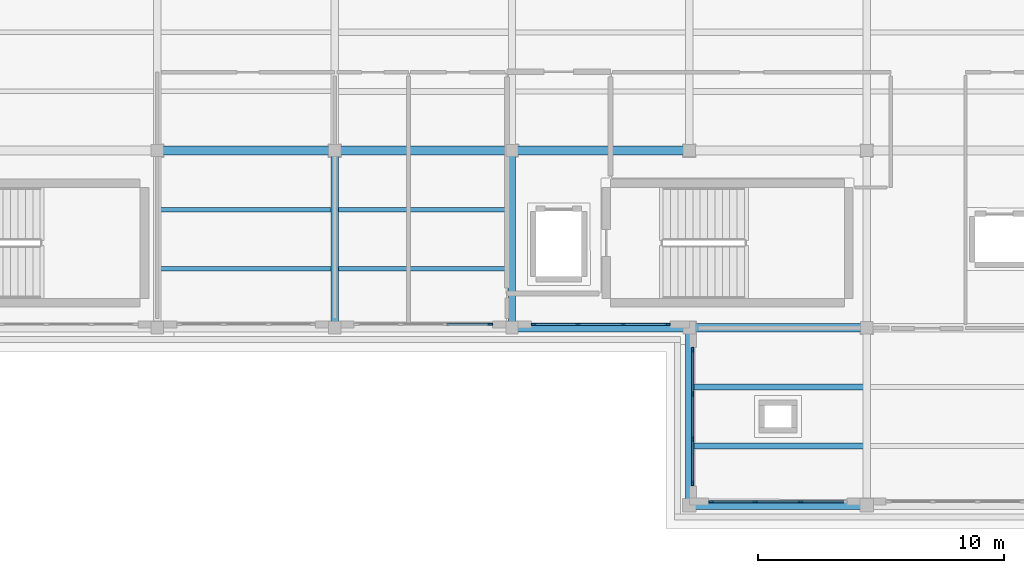
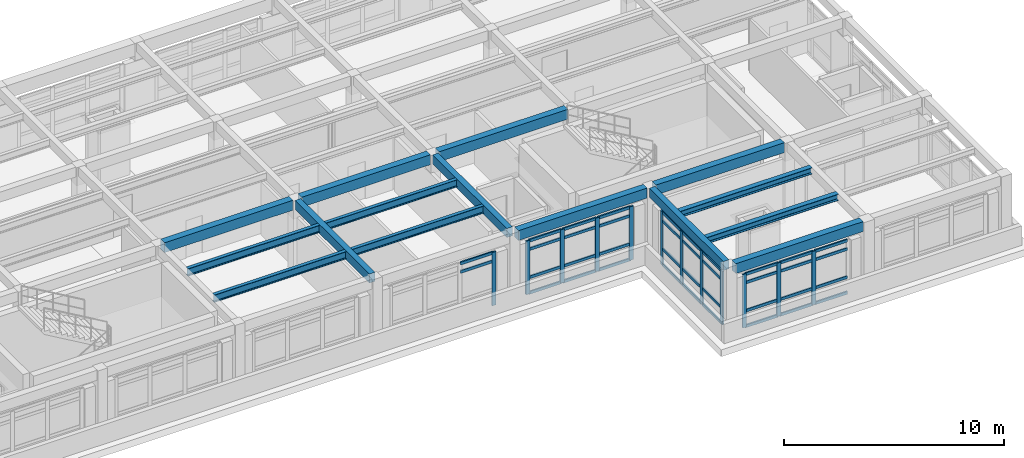
# One storey, part 6 of 20: 50 members, 15 beams, 4 elements without a shape of their own.
"""IFC4 building model written with IfcOpenShell, lengths in metres."""

from ifc_helpers import new_model, si_unit, direction, frame, origin, origin_2d, place, context, subcontext, project, spatial, rectangle, i_section, extrude, material, layer, layer_set, material_profile, profile_set, type_object, element, aggregate, save


model = new_model("IFC4")

# Units and contexts
model_context = context("Model", 3, precision=1e-05, world=origin(), true_north=direction((0.0, 1.0)))
body_context = subcontext(model_context, "Body", "Model", "MODEL_VIEW")
ifc_project = project(units=[si_unit("LENGTHUNIT", "METRE"), si_unit("AREAUNIT", "SQUARE_METRE"), si_unit("VOLUMEUNIT", "CUBIC_METRE"), si_unit("PLANEANGLEUNIT", "RADIAN"), si_unit("MASSUNIT", "GRAM", prefix="KILO")], contexts=[model_context])

# Site, building, storey
site_placement = place(None, origin())
site = spatial("IfcSite", under=ifc_project, at=site_placement, CompositionType="ELEMENT")
building_placement = place(site_placement, origin())
building = spatial("IfcBuilding", under=site, at=building_placement, Name="Solenvale Faculty of Natural Sciences", CompositionType="ELEMENT")
storey_placement = place(building_placement, frame((0.0, 0.0, 35.39990234375)))
storey = spatial("IfcBuildingStorey", under=building, at=storey_placement, Name="L08", CompositionType="ELEMENT", Elevation=35.39990234375)

# Beams
ifc_material_1 = material(Name="Concrete 40 MPa", Category="concrete")
ifc_material_profile_1 = material_profile(ifc_material_1, rectangle(XDim=0.300048828125, YDim=0.5, at=origin_2d()), Name="RC-BM-300x500")
ifc_profile_set_1 = profile_set([ifc_material_profile_1], Name="Concrete 40 MPa")
beam_type_1 = type_object("IfcBeamType", Name="BM-RC-300x500", PredefinedType="BEAM", material=ifc_profile_set_1)
for number, where, z_axis, x_axis, name in (
    (1, (122.39990234375, 93.830078125, 3.670166015625), (0.0, 1.0, 0.0), (-1.0, 0.0, 0.0), "L08 Y-Girder X122.4 (93.6..100.8)"),
    (2, (129.60009765625, 93.830078125, 3.670166015625), (0.0, 1.0, 0.0), (-1.0, 0.0, 0.0), "L08 Y-Girder X129.6 (93.6..100.8)"),
):
    element("IfcBeam", number, at=place(storey_placement, frame(where, z_axis=z_axis, x_axis=x_axis)), inside=storey, type_object=beam_type_1, Name=name, PredefinedType="BEAM", context=body_context, shape_type="SweptSolid", body=[
        extrude(rectangle(XDim=0.300048828125, YDim=0.5, at=origin_2d()), origin(), (0.0, 0.0, 1.0), 6.739990234375),
    ])
beam_1_placement = place(storey_placement, frame((136.800048828125, 86.655029296875, 3.670166015625), z_axis=(0.0, 1.0, 0.0), x_axis=(-1.0, 0.0, 0.0)))
element("IfcBeam", 3, at=beam_1_placement, inside=storey, type_object=beam_type_1, Name="L08 Y-Girder X136.8 (86.4..93.6)", PredefinedType="BEAM", context=body_context, shape_type="SweptSolid", body=[
    extrude(rectangle(XDim=0.300048828125, YDim=0.5, at=origin_2d()), origin(), (0.0, 0.0, 1.0), 6.715087890625),
])
ifc_material_profile_2 = material_profile(ifc_material_1, rectangle(XDim=0.35009765625, YDim=0.550048828125, at=origin_2d()), Name="RC-BM-350x550")
ifc_profile_set_2 = profile_set([ifc_material_profile_2], Name="Concrete 40 MPa")
beam_type_2 = type_object("IfcBeamType", Name="BM-RC-350x550", PredefinedType="BEAM", material=ifc_profile_set_2)
beam_2_placement = place(storey_placement, frame((137.054931640625, 86.39990234375, 3.64501953125), z_axis=(1.0, 0.0, 0.0), x_axis=(0.0, 1.0, 0.0)))
element("IfcBeam", 4, at=beam_2_placement, inside=storey, type_object=beam_type_2, Name="L08 X-Girder Y86.4 (136.8..144.0)", PredefinedType="BEAM", context=body_context, shape_type="SweptSolid", body=[
    extrude(rectangle(XDim=0.35009765625, YDim=0.550048828125, at=origin_2d()), origin(), (0.0, 0.0, 1.0), 6.690185546875),
])
for number, where, z_axis, x_axis, name in (
    (5, (129.830078125, 93.60009765625, 3.64501953125), (1.0, 0.0, 0.0), (0.0, 1.0, 0.0), "L08 X-Girder Y93.6 (129.6..136.8)"),
    (6, (137.030029296875, 93.60009765625, 3.64501953125), (1.0, 0.0, 0.0), (0.0, 1.0, 0.0), "L08 X-Girder Y93.6 (136.8..144.0)"),
    (7, (115.429931640625, 100.800048828125, 3.64501953125), (1.0, 0.0, 0.0), (0.0, 1.0, 0.0), "L08 X-Girder Y100.8 (115.2..122.4)"),
):
    element("IfcBeam", number, at=place(storey_placement, frame(where, z_axis=z_axis, x_axis=x_axis)), inside=storey, type_object=beam_type_2, Name=name, PredefinedType="BEAM", context=body_context, shape_type="SweptSolid", body=[
        extrude(rectangle(XDim=0.35009765625, YDim=0.550048828125, at=origin_2d()), origin(), (0.0, 0.0, 1.0), 6.739990234375),
    ])
beam_3_placement = place(storey_placement, frame((122.6298828125, 100.800048828125, 3.64501953125), z_axis=(1.0, 0.0, 0.0), x_axis=(0.0, 1.0, 0.0)))
element("IfcBeam", 8, at=beam_3_placement, inside=storey, type_object=beam_type_2, Name="L08 X-Girder Y100.8 (122.4..129.6)", PredefinedType="BEAM", context=body_context, shape_type="SweptSolid", body=[
    extrude(rectangle(XDim=0.35009765625, YDim=0.550048828125, at=origin_2d()), origin(), (0.0, 0.0, 1.0), 6.740234375),
])
beam_4_placement = place(storey_placement, frame((129.830078125, 100.800048828125, 3.64501953125), z_axis=(1.0, 0.0, 0.0), x_axis=(0.0, 1.0, 0.0)))
element("IfcBeam", 9, at=beam_4_placement, inside=storey, type_object=beam_type_2, Name="L08 X-Girder Y100.8 (129.6..136.8)", PredefinedType="BEAM", context=body_context, shape_type="SweptSolid", body=[
    extrude(rectangle(XDim=0.35009765625, YDim=0.550048828125, at=origin_2d()), origin(), (0.0, 0.0, 1.0), 6.739990234375),
])
ifc_material_2 = material(Name="Steel S355", Category="steel")
ifc_material_profile_3 = material_profile(ifc_material_2, i_section(OverallWidth=0.2548828125, OverallDepth=0.35693359375, WebThickness=0.010498046875, FlangeThickness=0.018310546875, FilletRadius=0.014892578125, at=origin_2d()), Name="W360x101")
ifc_profile_set_3 = profile_set([ifc_material_profile_3], Name="Steel S355")
beam_type_3 = type_object("IfcBeamType", Name="BM-STL-W360x101", PredefinedType="JOIST", material=ifc_profile_set_3)
for number, where, z_axis, x_axis, name in (
    (10, (136.929931640625, 88.800048828125, 3.74169921875), (1.0, 0.0, 0.0), (0.0, 1.0, 0.0), "L08 Composite Floor Joist (20,13).1"),
    (11, (136.929931640625, 91.199951171875, 3.74169921875), (1.0, 0.0, 0.0), (0.0, 1.0, 0.0), "L08 Composite Floor Joist (20,13).2"),
):
    element("IfcBeam", number, at=place(storey_placement, frame(where, z_axis=z_axis, x_axis=x_axis)), inside=storey, type_object=beam_type_3, Name=name, PredefinedType="JOIST", context=body_context, shape_type="SweptSolid", body=[
        extrude(i_section(OverallWidth=0.2548828125, OverallDepth=0.35693359375, WebThickness=0.010498046875, FlangeThickness=0.018310546875, FilletRadius=0.014892578125, at=origin_2d()), origin(), (0.0, 0.0, 1.0), 6.940185546875),
    ])
ifc_material_profile_4 = material_profile(ifc_material_2, i_section(OverallWidth=0.178955078125, OverallDepth=0.409912109375, WebThickness=0.0087890625, FlangeThickness=0.014404296875, FilletRadius=0.01611328125, at=origin_2d()), Name="W410x67")
ifc_profile_set_4 = profile_set([ifc_material_profile_4], Name="Steel S355")
beam_type_4 = type_object("IfcBeamType", Name="BM-STL-W410x67", PredefinedType="JOIST", material=ifc_profile_set_4)
for number, where, z_axis, x_axis, name in (
    (12, (122.530029296875, 96.0, 3.715087890625), (1.0, 0.0, 0.0), (0.0, 1.0, 0.0), "L08 Composite Floor Joist (18,14).1"),
    (13, (122.530029296875, 98.39990234375, 3.715087890625), (1.0, 0.0, 0.0), (0.0, 1.0, 0.0), "L08 Composite Floor Joist (18,14).2"),
):
    element("IfcBeam", number, at=place(storey_placement, frame(where, z_axis=z_axis, x_axis=x_axis)), inside=storey, type_object=beam_type_4, Name=name, PredefinedType="JOIST", context=body_context, shape_type="SweptSolid", body=[
        extrude(i_section(OverallWidth=0.178955078125, OverallDepth=0.409912109375, WebThickness=0.0087890625, FlangeThickness=0.014404296875, FilletRadius=0.01611328125, at=origin_2d()), origin(), (0.0, 0.0, 1.0), 6.93994140625),
    ])
ifc_material_profile_5 = material_profile(ifc_material_2, i_section(OverallWidth=0.180908203125, OverallDepth=0.4169921875, WebThickness=0.010986328125, FlangeThickness=0.018310546875, FilletRadius=0.01611328125, at=origin_2d()), Name="W410x85")
ifc_profile_set_5 = profile_set([ifc_material_profile_5], Name="Steel S355")
beam_type_5 = type_object("IfcBeamType", Name="BM-STL-W410x85", PredefinedType="JOIST", material=ifc_profile_set_5)
for number, where, z_axis, x_axis, name in (
    (14, (115.330078125, 96.0, 3.711669921875), (1.0, 0.0, 0.0), (0.0, 1.0, 0.0), "L08 Composite Floor Joist (17,14).1"),
    (15, (115.330078125, 98.39990234375, 3.711669921875), (1.0, 0.0, 0.0), (0.0, 1.0, 0.0), "L08 Composite Floor Joist (17,14).2"),
):
    element("IfcBeam", number, at=place(storey_placement, frame(where, z_axis=z_axis, x_axis=x_axis)), inside=storey, type_object=beam_type_5, Name=name, PredefinedType="JOIST", context=body_context, shape_type="SweptSolid", body=[
        extrude(i_section(OverallWidth=0.180908203125, OverallDepth=0.4169921875, WebThickness=0.010986328125, FlangeThickness=0.018310546875, FilletRadius=0.01611328125, at=origin_2d()), origin(), (0.0, 0.0, 1.0), 6.93994140625),
    ])

# Curtain wall, member
ifc_material_3 = material(Name="Anodised bronze aluminium", Category="aluminium")
ifc_layer = layer(ifc_material_3, 0.179931640625)
ifc_layer_set = layer_set([ifc_layer], Name="Anodised bronze aluminium")
curtain_wall_type = type_object("IfcCurtainWallType", Name="CW-TWR-MOD", PredefinedType="USERDEFINED", material=ifc_layer_set)
curtain_wall_1_placement = place(storey_placement, origin())
curtain_wall_1 = element("IfcCurtainWall", 16, at=curtain_wall_1_placement, inside=storey, type_object=curtain_wall_type, Name="L08 Curtain Wall CW-L08-P1-E4-B6", ObjectType="UNITISED CURTAIN WALL", PredefinedType="USERDEFINED")
ifc_material_profile_6 = material_profile(ifc_material_3, rectangle(XDim=0.074951171875, YDim=0.2099609375, at=origin_2d()), Name="ALU-MUL-75x210")
ifc_profile_set_6 = profile_set([ifc_material_profile_6], Name="Anodised bronze aluminium")
member_type_1 = type_object("IfcMemberType", Name="CWM-ALU-75x210", PredefinedType="MULLION", material=ifc_profile_set_6)
member_1_placement = place(storey_placement, frame((128.71240234375, 93.742431640625, 0.0), z_axis=(0.0, 0.0, 1.0), x_axis=(0.0, 1.0, 0.0)))
member_1 = element("IfcMember", 17, at=member_1_placement, type_object=member_type_1, Name="CW-04 mullion 4", PredefinedType="MULLION", context=body_context, shape_type="SweptSolid", body=[
    extrude(rectangle(XDim=0.074951171875, YDim=0.2099609375, at=origin_2d()), origin(), (0.0, 0.0, 1.0), 2.960205078125),
])

# Curtain wall, members
curtain_wall_2_placement = place(storey_placement, origin())
curtain_wall_2 = element("IfcCurtainWall", 18, at=curtain_wall_2_placement, inside=storey, type_object=curtain_wall_type, Name="L08 Curtain Wall CW-L08-P1-E4-B7", ObjectType="UNITISED CURTAIN WALL", PredefinedType="USERDEFINED")
member_2_placement = place(storey_placement, frame((130.487548828125, 93.742431640625, 0.0), z_axis=(0.0, 0.0, 1.0), x_axis=(0.0, 1.0, 0.0)))
member_2 = element("IfcMember", 19, at=member_2_placement, type_object=member_type_1, Name="CW-04 mullion 1", PredefinedType="MULLION", context=body_context, shape_type="SweptSolid", body=[
    extrude(rectangle(XDim=0.074951171875, YDim=0.2099609375, at=origin_2d()), origin(), (0.0, 0.0, 1.0), 2.960205078125),
])
member_3_placement = place(storey_placement, frame((132.283447265625, 93.742431640625, 0.0), z_axis=(0.0, 0.0, 1.0), x_axis=(0.0, 1.0, 0.0)))
member_3 = element("IfcMember", 20, at=member_3_placement, type_object=member_type_1, Name="CW-04 mullion 2", PredefinedType="MULLION", context=body_context, shape_type="SweptSolid", body=[
    extrude(rectangle(XDim=0.074951171875, YDim=0.2099609375, at=origin_2d()), origin(), (0.0, 0.0, 1.0), 2.960205078125),
])
member_4_placement = place(storey_placement, frame((134.11669921875, 93.742431640625, 0.0), z_axis=(0.0, 0.0, 1.0), x_axis=(0.0, 1.0, 0.0)))
member_4 = element("IfcMember", 21, at=member_4_placement, type_object=member_type_1, Name="CW-04 mullion 3", PredefinedType="MULLION", context=body_context, shape_type="SweptSolid", body=[
    extrude(rectangle(XDim=0.074951171875, YDim=0.2099609375, at=origin_2d()), origin(), (0.0, 0.0, 1.0), 2.960205078125),
])
member_5_placement = place(storey_placement, frame((135.91259765625, 93.742431640625, 0.0), z_axis=(0.0, 0.0, 1.0), x_axis=(0.0, 1.0, 0.0)))
member_5 = element("IfcMember", 22, at=member_5_placement, type_object=member_type_1, Name="CW-04 mullion 4", PredefinedType="MULLION", context=body_context, shape_type="SweptSolid", body=[
    extrude(rectangle(XDim=0.074951171875, YDim=0.2099609375, at=origin_2d()), origin(), (0.0, 0.0, 1.0), 2.960205078125),
])

curtain_wall_3_placement = place(storey_placement, origin())
curtain_wall_3 = element("IfcCurtainWall", 23, at=curtain_wall_3_placement, inside=storey, type_object=curtain_wall_type, Name="L08 Curtain Wall CW-L08-P1-E5-B1", ObjectType="UNITISED CURTAIN WALL", PredefinedType="USERDEFINED")
member_6_placement = place(storey_placement, frame((136.9423828125, 92.71240234375, 0.0), z_axis=(0.0, 0.0, 1.0), x_axis=(1.0, 0.0, 0.0)))
member_6 = element("IfcMember", 24, at=member_6_placement, type_object=member_type_1, Name="CW-04 mullion 1", PredefinedType="MULLION", context=body_context, shape_type="SweptSolid", body=[
    extrude(rectangle(XDim=0.074951171875, YDim=0.2099609375, at=origin_2d()), origin(), (0.0, 0.0, 1.0), 2.960205078125),
])
member_7_placement = place(storey_placement, frame((136.9423828125, 90.916748046875, 0.0), z_axis=(0.0, 0.0, 1.0), x_axis=(1.0, 0.0, 0.0)))
member_7 = element("IfcMember", 25, at=member_7_placement, type_object=member_type_1, Name="CW-04 mullion 2", PredefinedType="MULLION", context=body_context, shape_type="SweptSolid", body=[
    extrude(rectangle(XDim=0.074951171875, YDim=0.2099609375, at=origin_2d()), origin(), (0.0, 0.0, 1.0), 2.960205078125),
])
member_8_placement = place(storey_placement, frame((136.9423828125, 89.083251953125, 0.0), z_axis=(0.0, 0.0, 1.0), x_axis=(1.0, 0.0, 0.0)))
member_8 = element("IfcMember", 26, at=member_8_placement, type_object=member_type_1, Name="CW-04 mullion 3", PredefinedType="MULLION", context=body_context, shape_type="SweptSolid", body=[
    extrude(rectangle(XDim=0.074951171875, YDim=0.2099609375, at=origin_2d()), origin(), (0.0, 0.0, 1.0), 2.960205078125),
])
member_9_placement = place(storey_placement, frame((136.9423828125, 87.28759765625, 0.0), z_axis=(0.0, 0.0, 1.0), x_axis=(1.0, 0.0, 0.0)))
member_9 = element("IfcMember", 27, at=member_9_placement, type_object=member_type_1, Name="CW-04 mullion 4", PredefinedType="MULLION", context=body_context, shape_type="SweptSolid", body=[
    extrude(rectangle(XDim=0.074951171875, YDim=0.2099609375, at=origin_2d()), origin(), (0.0, 0.0, 1.0), 2.960205078125),
])

curtain_wall_4_placement = place(storey_placement, origin())
curtain_wall_4 = element("IfcCurtainWall", 28, at=curtain_wall_4_placement, inside=storey, type_object=curtain_wall_type, Name="L08 Curtain Wall CW-L08-P1-E6-B1", ObjectType="UNITISED CURTAIN WALL", PredefinedType="USERDEFINED")
member_10_placement = place(storey_placement, frame((137.6875, 86.54248046875, 0.0), z_axis=(0.0, 0.0, 1.0), x_axis=(0.0, 1.0, 0.0)))
member_10 = element("IfcMember", 29, at=member_10_placement, type_object=member_type_1, Name="CW-04 mullion 1", PredefinedType="MULLION", context=body_context, shape_type="SweptSolid", body=[
    extrude(rectangle(XDim=0.074951171875, YDim=0.2099609375, at=origin_2d()), origin(), (0.0, 0.0, 1.0), 2.960205078125),
])
member_11_placement = place(storey_placement, frame((139.4833984375, 86.54248046875, 0.0), z_axis=(0.0, 0.0, 1.0), x_axis=(0.0, 1.0, 0.0)))
member_11 = element("IfcMember", 30, at=member_11_placement, type_object=member_type_1, Name="CW-04 mullion 2", PredefinedType="MULLION", context=body_context, shape_type="SweptSolid", body=[
    extrude(rectangle(XDim=0.074951171875, YDim=0.2099609375, at=origin_2d()), origin(), (0.0, 0.0, 1.0), 2.960205078125),
])
member_12_placement = place(storey_placement, frame((141.316650390625, 86.54248046875, 0.0), z_axis=(0.0, 0.0, 1.0), x_axis=(0.0, 1.0, 0.0)))
member_12 = element("IfcMember", 31, at=member_12_placement, type_object=member_type_1, Name="CW-04 mullion 3", PredefinedType="MULLION", context=body_context, shape_type="SweptSolid", body=[
    extrude(rectangle(XDim=0.074951171875, YDim=0.2099609375, at=origin_2d()), origin(), (0.0, 0.0, 1.0), 2.960205078125),
])

# Member
ifc_material_profile_7 = material_profile(ifc_material_3, rectangle(XDim=0.074951171875, YDim=0.155029296875, at=origin_2d()), Name="ALU-TRN-75x155")
ifc_profile_set_7 = profile_set([ifc_material_profile_7], Name="Anodised bronze aluminium")
member_type_2 = type_object("IfcMemberType", Name="CWT-ALU-75x155", PredefinedType="USERDEFINED", material=ifc_profile_set_7)
member_13_placement = place(storey_placement, frame((126.9541015625, 93.742431640625, 2.460205078125), z_axis=(1.0, 0.0, 0.0), x_axis=(0.0, 1.0, 0.0)))
member_13 = element("IfcMember", 32, at=member_13_placement, type_object=member_type_2, Name="CW-04 transom 3.3", ObjectType="TRANSOM", PredefinedType="USERDEFINED", context=body_context, shape_type="SweptSolid", body=[
    extrude(rectangle(XDim=0.074951171875, YDim=0.155029296875, at=origin_2d()), origin(), (0.0, 0.0, 1.0), 1.720947265625),
])

member_14_placement = place(storey_placement, frame((126.9541015625, 93.742431640625, 2.922607421875), z_axis=(1.0, 0.0, 0.0), x_axis=(0.0, 1.0, 0.0)))
member_14 = element("IfcMember", 33, at=member_14_placement, type_object=member_type_2, Name="CW-04 transom 3.4", ObjectType="TRANSOM", PredefinedType="USERDEFINED", context=body_context, shape_type="SweptSolid", body=[
    extrude(rectangle(XDim=0.074951171875, YDim=0.155029296875, at=origin_2d()), origin(), (0.0, 0.0, 1.0), 1.720947265625),
])

aggregate(curtain_wall_1, [member_1, member_13, member_14])

member_15_placement = place(storey_placement, frame((130.52490234375, 93.742431640625, 0.03759765625), z_axis=(1.0, 0.0, 0.0), x_axis=(0.0, 1.0, 0.0)))
member_15 = element("IfcMember", 34, at=member_15_placement, type_object=member_type_2, Name="CW-04 transom 1.1", ObjectType="TRANSOM", PredefinedType="USERDEFINED", context=body_context, shape_type="SweptSolid", body=[
    extrude(rectangle(XDim=0.074951171875, YDim=0.155029296875, at=origin_2d()), origin(), (0.0, 0.0, 1.0), 1.720947265625),
])

member_16_placement = place(storey_placement, frame((130.52490234375, 93.742431640625, 0.900146484375), z_axis=(1.0, 0.0, 0.0), x_axis=(0.0, 1.0, 0.0)))
member_16 = element("IfcMember", 35, at=member_16_placement, type_object=member_type_2, Name="CW-04 transom 1.2", ObjectType="TRANSOM", PredefinedType="USERDEFINED", context=body_context, shape_type="SweptSolid", body=[
    extrude(rectangle(XDim=0.074951171875, YDim=0.155029296875, at=origin_2d()), origin(), (0.0, 0.0, 1.0), 1.720947265625),
])

member_17_placement = place(storey_placement, frame((130.52490234375, 93.742431640625, 2.460205078125), z_axis=(1.0, 0.0, 0.0), x_axis=(0.0, 1.0, 0.0)))
member_17 = element("IfcMember", 36, at=member_17_placement, type_object=member_type_2, Name="CW-04 transom 1.3", ObjectType="TRANSOM", PredefinedType="USERDEFINED", context=body_context, shape_type="SweptSolid", body=[
    extrude(rectangle(XDim=0.074951171875, YDim=0.155029296875, at=origin_2d()), origin(), (0.0, 0.0, 1.0), 1.720947265625),
])

member_18_placement = place(storey_placement, frame((130.52490234375, 93.742431640625, 2.922607421875), z_axis=(1.0, 0.0, 0.0), x_axis=(0.0, 1.0, 0.0)))
member_18 = element("IfcMember", 37, at=member_18_placement, type_object=member_type_2, Name="CW-04 transom 1.4", ObjectType="TRANSOM", PredefinedType="USERDEFINED", context=body_context, shape_type="SweptSolid", body=[
    extrude(rectangle(XDim=0.074951171875, YDim=0.155029296875, at=origin_2d()), origin(), (0.0, 0.0, 1.0), 1.720947265625),
])

member_19_placement = place(storey_placement, frame((132.32080078125, 93.742431640625, 0.03759765625), z_axis=(1.0, 0.0, 0.0), x_axis=(0.0, 1.0, 0.0)))
member_19 = element("IfcMember", 38, at=member_19_placement, type_object=member_type_2, Name="CW-04 transom 2.1", ObjectType="TRANSOM", PredefinedType="USERDEFINED", context=body_context, shape_type="SweptSolid", body=[
    extrude(rectangle(XDim=0.074951171875, YDim=0.155029296875, at=origin_2d()), origin(), (0.0, 0.0, 1.0), 1.75830078125),
])

member_20_placement = place(storey_placement, frame((132.32080078125, 93.742431640625, 0.900146484375), z_axis=(1.0, 0.0, 0.0), x_axis=(0.0, 1.0, 0.0)))
member_20 = element("IfcMember", 39, at=member_20_placement, type_object=member_type_2, Name="CW-04 transom 2.2", ObjectType="TRANSOM", PredefinedType="USERDEFINED", context=body_context, shape_type="SweptSolid", body=[
    extrude(rectangle(XDim=0.074951171875, YDim=0.155029296875, at=origin_2d()), origin(), (0.0, 0.0, 1.0), 1.75830078125),
])

member_21_placement = place(storey_placement, frame((132.32080078125, 93.742431640625, 2.460205078125), z_axis=(1.0, 0.0, 0.0), x_axis=(0.0, 1.0, 0.0)))
member_21 = element("IfcMember", 40, at=member_21_placement, type_object=member_type_2, Name="CW-04 transom 2.3", ObjectType="TRANSOM", PredefinedType="USERDEFINED", context=body_context, shape_type="SweptSolid", body=[
    extrude(rectangle(XDim=0.074951171875, YDim=0.155029296875, at=origin_2d()), origin(), (0.0, 0.0, 1.0), 1.75830078125),
])

member_22_placement = place(storey_placement, frame((132.32080078125, 93.742431640625, 2.922607421875), z_axis=(1.0, 0.0, 0.0), x_axis=(0.0, 1.0, 0.0)))
member_22 = element("IfcMember", 41, at=member_22_placement, type_object=member_type_2, Name="CW-04 transom 2.4", ObjectType="TRANSOM", PredefinedType="USERDEFINED", context=body_context, shape_type="SweptSolid", body=[
    extrude(rectangle(XDim=0.074951171875, YDim=0.155029296875, at=origin_2d()), origin(), (0.0, 0.0, 1.0), 1.75830078125),
])

member_23_placement = place(storey_placement, frame((134.154052734375, 93.742431640625, 0.03759765625), z_axis=(1.0, 0.0, 0.0), x_axis=(0.0, 1.0, 0.0)))
member_23 = element("IfcMember", 42, at=member_23_placement, type_object=member_type_2, Name="CW-04 transom 3.1", ObjectType="TRANSOM", PredefinedType="USERDEFINED", context=body_context, shape_type="SweptSolid", body=[
    extrude(rectangle(XDim=0.074951171875, YDim=0.155029296875, at=origin_2d()), origin(), (0.0, 0.0, 1.0), 1.720947265625),
])

member_24_placement = place(storey_placement, frame((134.154052734375, 93.742431640625, 0.900146484375), z_axis=(1.0, 0.0, 0.0), x_axis=(0.0, 1.0, 0.0)))
member_24 = element("IfcMember", 43, at=member_24_placement, type_object=member_type_2, Name="CW-04 transom 3.2", ObjectType="TRANSOM", PredefinedType="USERDEFINED", context=body_context, shape_type="SweptSolid", body=[
    extrude(rectangle(XDim=0.074951171875, YDim=0.155029296875, at=origin_2d()), origin(), (0.0, 0.0, 1.0), 1.720947265625),
])

member_25_placement = place(storey_placement, frame((134.154052734375, 93.742431640625, 2.460205078125), z_axis=(1.0, 0.0, 0.0), x_axis=(0.0, 1.0, 0.0)))
member_25 = element("IfcMember", 44, at=member_25_placement, type_object=member_type_2, Name="CW-04 transom 3.3", ObjectType="TRANSOM", PredefinedType="USERDEFINED", context=body_context, shape_type="SweptSolid", body=[
    extrude(rectangle(XDim=0.074951171875, YDim=0.155029296875, at=origin_2d()), origin(), (0.0, 0.0, 1.0), 1.720947265625),
])

member_26_placement = place(storey_placement, frame((134.154052734375, 93.742431640625, 2.922607421875), z_axis=(1.0, 0.0, 0.0), x_axis=(0.0, 1.0, 0.0)))
member_26 = element("IfcMember", 45, at=member_26_placement, type_object=member_type_2, Name="CW-04 transom 3.4", ObjectType="TRANSOM", PredefinedType="USERDEFINED", context=body_context, shape_type="SweptSolid", body=[
    extrude(rectangle(XDim=0.074951171875, YDim=0.155029296875, at=origin_2d()), origin(), (0.0, 0.0, 1.0), 1.720947265625),
])

aggregate(curtain_wall_2, [member_2, member_3, member_4, member_5, member_15, member_16, member_17, member_18, member_19, member_20, member_21, member_22, member_23, member_24, member_25, member_26])

member_27_placement = place(storey_placement, frame((136.9423828125, 92.675048828125, 0.03759765625), z_axis=(0.0, -1.0, 0.0), x_axis=(1.0, 0.0, 0.0)))
member_27 = element("IfcMember", 46, at=member_27_placement, type_object=member_type_2, Name="CW-04 transom 1.1", ObjectType="TRANSOM", PredefinedType="USERDEFINED", context=body_context, shape_type="SweptSolid", body=[
    extrude(rectangle(XDim=0.074951171875, YDim=0.155029296875, at=origin_2d()), origin(), (0.0, 0.0, 1.0), 1.720947265625),
])

member_28_placement = place(storey_placement, frame((136.9423828125, 92.675048828125, 0.900146484375), z_axis=(0.0, -1.0, 0.0), x_axis=(1.0, 0.0, 0.0)))
member_28 = element("IfcMember", 47, at=member_28_placement, type_object=member_type_2, Name="CW-04 transom 1.2", ObjectType="TRANSOM", PredefinedType="USERDEFINED", context=body_context, shape_type="SweptSolid", body=[
    extrude(rectangle(XDim=0.074951171875, YDim=0.155029296875, at=origin_2d()), origin(), (0.0, 0.0, 1.0), 1.720947265625),
])

member_29_placement = place(storey_placement, frame((136.9423828125, 92.675048828125, 2.460205078125), z_axis=(0.0, -1.0, 0.0), x_axis=(1.0, 0.0, 0.0)))
member_29 = element("IfcMember", 48, at=member_29_placement, type_object=member_type_2, Name="CW-04 transom 1.3", ObjectType="TRANSOM", PredefinedType="USERDEFINED", context=body_context, shape_type="SweptSolid", body=[
    extrude(rectangle(XDim=0.074951171875, YDim=0.155029296875, at=origin_2d()), origin(), (0.0, 0.0, 1.0), 1.720947265625),
])

member_30_placement = place(storey_placement, frame((136.9423828125, 92.675048828125, 2.922607421875), z_axis=(0.0, -1.0, 0.0), x_axis=(1.0, 0.0, 0.0)))
member_30 = element("IfcMember", 49, at=member_30_placement, type_object=member_type_2, Name="CW-04 transom 1.4", ObjectType="TRANSOM", PredefinedType="USERDEFINED", context=body_context, shape_type="SweptSolid", body=[
    extrude(rectangle(XDim=0.074951171875, YDim=0.155029296875, at=origin_2d()), origin(), (0.0, 0.0, 1.0), 1.720947265625),
])

member_31_placement = place(storey_placement, frame((136.9423828125, 90.879150390625, 0.03759765625), z_axis=(0.0, -1.0, 0.0), x_axis=(1.0, 0.0, 0.0)))
member_31 = element("IfcMember", 50, at=member_31_placement, type_object=member_type_2, Name="CW-04 transom 2.1", ObjectType="TRANSOM", PredefinedType="USERDEFINED", context=body_context, shape_type="SweptSolid", body=[
    extrude(rectangle(XDim=0.074951171875, YDim=0.155029296875, at=origin_2d()), origin(), (0.0, 0.0, 1.0), 1.75830078125),
])

member_32_placement = place(storey_placement, frame((136.9423828125, 90.879150390625, 0.900146484375), z_axis=(0.0, -1.0, 0.0), x_axis=(1.0, 0.0, 0.0)))
member_32 = element("IfcMember", 51, at=member_32_placement, type_object=member_type_2, Name="CW-04 transom 2.2", ObjectType="TRANSOM", PredefinedType="USERDEFINED", context=body_context, shape_type="SweptSolid", body=[
    extrude(rectangle(XDim=0.074951171875, YDim=0.155029296875, at=origin_2d()), origin(), (0.0, 0.0, 1.0), 1.75830078125),
])

member_33_placement = place(storey_placement, frame((136.9423828125, 90.879150390625, 2.460205078125), z_axis=(0.0, -1.0, 0.0), x_axis=(1.0, 0.0, 0.0)))
member_33 = element("IfcMember", 52, at=member_33_placement, type_object=member_type_2, Name="CW-04 transom 2.3", ObjectType="TRANSOM", PredefinedType="USERDEFINED", context=body_context, shape_type="SweptSolid", body=[
    extrude(rectangle(XDim=0.074951171875, YDim=0.155029296875, at=origin_2d()), origin(), (0.0, 0.0, 1.0), 1.75830078125),
])

member_34_placement = place(storey_placement, frame((136.9423828125, 90.879150390625, 2.922607421875), z_axis=(0.0, -1.0, 0.0), x_axis=(1.0, 0.0, 0.0)))
member_34 = element("IfcMember", 53, at=member_34_placement, type_object=member_type_2, Name="CW-04 transom 2.4", ObjectType="TRANSOM", PredefinedType="USERDEFINED", context=body_context, shape_type="SweptSolid", body=[
    extrude(rectangle(XDim=0.074951171875, YDim=0.155029296875, at=origin_2d()), origin(), (0.0, 0.0, 1.0), 1.75830078125),
])

member_35_placement = place(storey_placement, frame((136.9423828125, 89.0458984375, 0.03759765625), z_axis=(0.0, -1.0, 0.0), x_axis=(1.0, 0.0, 0.0)))
member_35 = element("IfcMember", 54, at=member_35_placement, type_object=member_type_2, Name="CW-04 transom 3.1", ObjectType="TRANSOM", PredefinedType="USERDEFINED", context=body_context, shape_type="SweptSolid", body=[
    extrude(rectangle(XDim=0.074951171875, YDim=0.155029296875, at=origin_2d()), origin(), (0.0, 0.0, 1.0), 1.720947265625),
])

member_36_placement = place(storey_placement, frame((136.9423828125, 89.0458984375, 0.900146484375), z_axis=(0.0, -1.0, 0.0), x_axis=(1.0, 0.0, 0.0)))
member_36 = element("IfcMember", 55, at=member_36_placement, type_object=member_type_2, Name="CW-04 transom 3.2", ObjectType="TRANSOM", PredefinedType="USERDEFINED", context=body_context, shape_type="SweptSolid", body=[
    extrude(rectangle(XDim=0.074951171875, YDim=0.155029296875, at=origin_2d()), origin(), (0.0, 0.0, 1.0), 1.720947265625),
])

member_37_placement = place(storey_placement, frame((136.9423828125, 89.0458984375, 2.460205078125), z_axis=(0.0, -1.0, 0.0), x_axis=(1.0, 0.0, 0.0)))
member_37 = element("IfcMember", 56, at=member_37_placement, type_object=member_type_2, Name="CW-04 transom 3.3", ObjectType="TRANSOM", PredefinedType="USERDEFINED", context=body_context, shape_type="SweptSolid", body=[
    extrude(rectangle(XDim=0.074951171875, YDim=0.155029296875, at=origin_2d()), origin(), (0.0, 0.0, 1.0), 1.720947265625),
])

member_38_placement = place(storey_placement, frame((136.9423828125, 89.0458984375, 2.922607421875), z_axis=(0.0, -1.0, 0.0), x_axis=(1.0, 0.0, 0.0)))
member_38 = element("IfcMember", 57, at=member_38_placement, type_object=member_type_2, Name="CW-04 transom 3.4", ObjectType="TRANSOM", PredefinedType="USERDEFINED", context=body_context, shape_type="SweptSolid", body=[
    extrude(rectangle(XDim=0.074951171875, YDim=0.155029296875, at=origin_2d()), origin(), (0.0, 0.0, 1.0), 1.720947265625),
])

aggregate(curtain_wall_3, [member_6, member_7, member_8, member_9, member_27, member_28, member_29, member_30, member_31, member_32, member_33, member_34, member_35, member_36, member_37, member_38])

member_39_placement = place(storey_placement, frame((137.72509765625, 86.54248046875, 0.03759765625), z_axis=(1.0, 0.0, 0.0), x_axis=(0.0, 1.0, 0.0)))
member_39 = element("IfcMember", 58, at=member_39_placement, type_object=member_type_2, Name="CW-04 transom 1.1", ObjectType="TRANSOM", PredefinedType="USERDEFINED", context=body_context, shape_type="SweptSolid", body=[
    extrude(rectangle(XDim=0.074951171875, YDim=0.155029296875, at=origin_2d()), origin(), (0.0, 0.0, 1.0), 1.720703125),
])

member_40_placement = place(storey_placement, frame((137.72509765625, 86.54248046875, 0.900146484375), z_axis=(1.0, 0.0, 0.0), x_axis=(0.0, 1.0, 0.0)))
member_40 = element("IfcMember", 59, at=member_40_placement, type_object=member_type_2, Name="CW-04 transom 1.2", ObjectType="TRANSOM", PredefinedType="USERDEFINED", context=body_context, shape_type="SweptSolid", body=[
    extrude(rectangle(XDim=0.074951171875, YDim=0.155029296875, at=origin_2d()), origin(), (0.0, 0.0, 1.0), 1.720703125),
])

member_41_placement = place(storey_placement, frame((137.72509765625, 86.54248046875, 2.460205078125), z_axis=(1.0, 0.0, 0.0), x_axis=(0.0, 1.0, 0.0)))
member_41 = element("IfcMember", 60, at=member_41_placement, type_object=member_type_2, Name="CW-04 transom 1.3", ObjectType="TRANSOM", PredefinedType="USERDEFINED", context=body_context, shape_type="SweptSolid", body=[
    extrude(rectangle(XDim=0.074951171875, YDim=0.155029296875, at=origin_2d()), origin(), (0.0, 0.0, 1.0), 1.720703125),
])

member_42_placement = place(storey_placement, frame((137.72509765625, 86.54248046875, 2.922607421875), z_axis=(1.0, 0.0, 0.0), x_axis=(0.0, 1.0, 0.0)))
member_42 = element("IfcMember", 61, at=member_42_placement, type_object=member_type_2, Name="CW-04 transom 1.4", ObjectType="TRANSOM", PredefinedType="USERDEFINED", context=body_context, shape_type="SweptSolid", body=[
    extrude(rectangle(XDim=0.074951171875, YDim=0.155029296875, at=origin_2d()), origin(), (0.0, 0.0, 1.0), 1.720703125),
])

member_43_placement = place(storey_placement, frame((139.520751953125, 86.54248046875, 0.03759765625), z_axis=(1.0, 0.0, 0.0), x_axis=(0.0, 1.0, 0.0)))
member_43 = element("IfcMember", 62, at=member_43_placement, type_object=member_type_2, Name="CW-04 transom 2.1", ObjectType="TRANSOM", PredefinedType="USERDEFINED", context=body_context, shape_type="SweptSolid", body=[
    extrude(rectangle(XDim=0.074951171875, YDim=0.155029296875, at=origin_2d()), origin(), (0.0, 0.0, 1.0), 1.75830078125),
])

member_44_placement = place(storey_placement, frame((139.520751953125, 86.54248046875, 0.900146484375), z_axis=(1.0, 0.0, 0.0), x_axis=(0.0, 1.0, 0.0)))
member_44 = element("IfcMember", 63, at=member_44_placement, type_object=member_type_2, Name="CW-04 transom 2.2", ObjectType="TRANSOM", PredefinedType="USERDEFINED", context=body_context, shape_type="SweptSolid", body=[
    extrude(rectangle(XDim=0.074951171875, YDim=0.155029296875, at=origin_2d()), origin(), (0.0, 0.0, 1.0), 1.75830078125),
])

member_45_placement = place(storey_placement, frame((139.520751953125, 86.54248046875, 2.460205078125), z_axis=(1.0, 0.0, 0.0), x_axis=(0.0, 1.0, 0.0)))
member_45 = element("IfcMember", 64, at=member_45_placement, type_object=member_type_2, Name="CW-04 transom 2.3", ObjectType="TRANSOM", PredefinedType="USERDEFINED", context=body_context, shape_type="SweptSolid", body=[
    extrude(rectangle(XDim=0.074951171875, YDim=0.155029296875, at=origin_2d()), origin(), (0.0, 0.0, 1.0), 1.75830078125),
])

member_46_placement = place(storey_placement, frame((139.520751953125, 86.54248046875, 2.922607421875), z_axis=(1.0, 0.0, 0.0), x_axis=(0.0, 1.0, 0.0)))
member_46 = element("IfcMember", 65, at=member_46_placement, type_object=member_type_2, Name="CW-04 transom 2.4", ObjectType="TRANSOM", PredefinedType="USERDEFINED", context=body_context, shape_type="SweptSolid", body=[
    extrude(rectangle(XDim=0.074951171875, YDim=0.155029296875, at=origin_2d()), origin(), (0.0, 0.0, 1.0), 1.75830078125),
])

member_47_placement = place(storey_placement, frame((141.354248046875, 86.54248046875, 0.03759765625), z_axis=(1.0, 0.0, 0.0), x_axis=(0.0, 1.0, 0.0)))
member_47 = element("IfcMember", 66, at=member_47_placement, type_object=member_type_2, Name="CW-04 transom 3.1", ObjectType="TRANSOM", PredefinedType="USERDEFINED", context=body_context, shape_type="SweptSolid", body=[
    extrude(rectangle(XDim=0.074951171875, YDim=0.155029296875, at=origin_2d()), origin(), (0.0, 0.0, 1.0), 1.720703125),
])

member_48_placement = place(storey_placement, frame((141.354248046875, 86.54248046875, 0.900146484375), z_axis=(1.0, 0.0, 0.0), x_axis=(0.0, 1.0, 0.0)))
member_48 = element("IfcMember", 67, at=member_48_placement, type_object=member_type_2, Name="CW-04 transom 3.2", ObjectType="TRANSOM", PredefinedType="USERDEFINED", context=body_context, shape_type="SweptSolid", body=[
    extrude(rectangle(XDim=0.074951171875, YDim=0.155029296875, at=origin_2d()), origin(), (0.0, 0.0, 1.0), 1.720703125),
])

member_49_placement = place(storey_placement, frame((141.354248046875, 86.54248046875, 2.460205078125), z_axis=(1.0, 0.0, 0.0), x_axis=(0.0, 1.0, 0.0)))
member_49 = element("IfcMember", 68, at=member_49_placement, type_object=member_type_2, Name="CW-04 transom 3.3", ObjectType="TRANSOM", PredefinedType="USERDEFINED", context=body_context, shape_type="SweptSolid", body=[
    extrude(rectangle(XDim=0.074951171875, YDim=0.155029296875, at=origin_2d()), origin(), (0.0, 0.0, 1.0), 1.720703125),
])

member_50_placement = place(storey_placement, frame((141.354248046875, 86.54248046875, 2.922607421875), z_axis=(1.0, 0.0, 0.0), x_axis=(0.0, 1.0, 0.0)))
member_50 = element("IfcMember", 69, at=member_50_placement, type_object=member_type_2, Name="CW-04 transom 3.4", ObjectType="TRANSOM", PredefinedType="USERDEFINED", context=body_context, shape_type="SweptSolid", body=[
    extrude(rectangle(XDim=0.074951171875, YDim=0.155029296875, at=origin_2d()), origin(), (0.0, 0.0, 1.0), 1.720703125),
])

aggregate(curtain_wall_4, [member_10, member_11, member_12, member_39, member_40, member_41, member_42, member_43, member_44, member_45, member_46, member_47, member_48, member_49, member_50])

save(model, "model.ifc")
